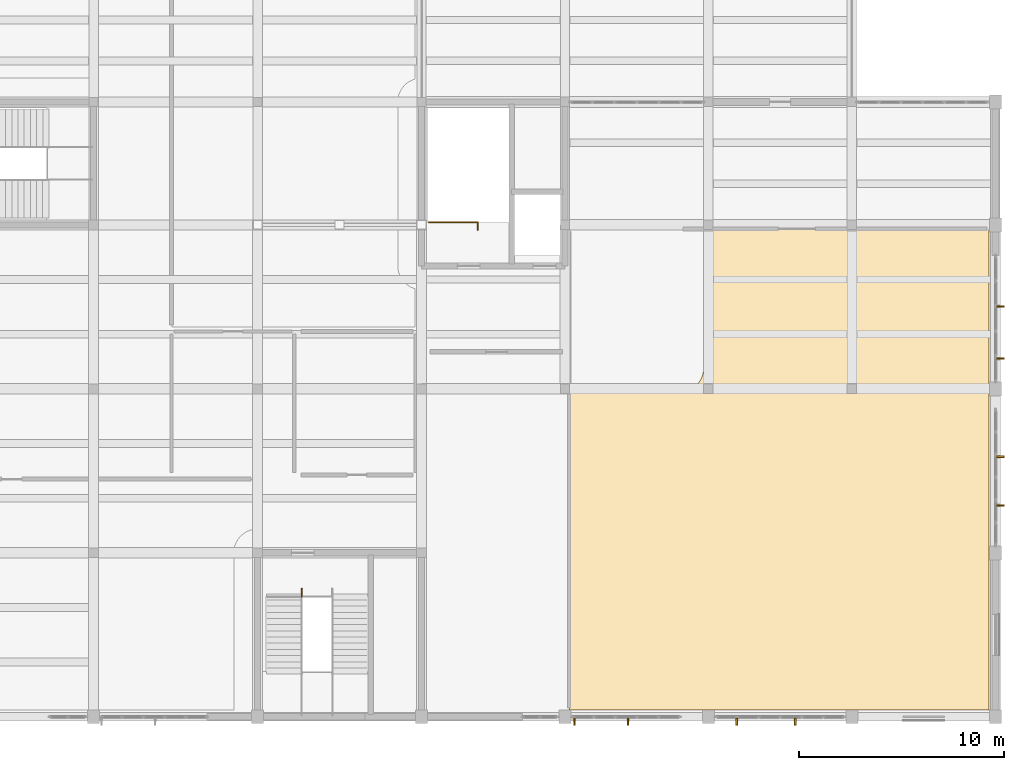
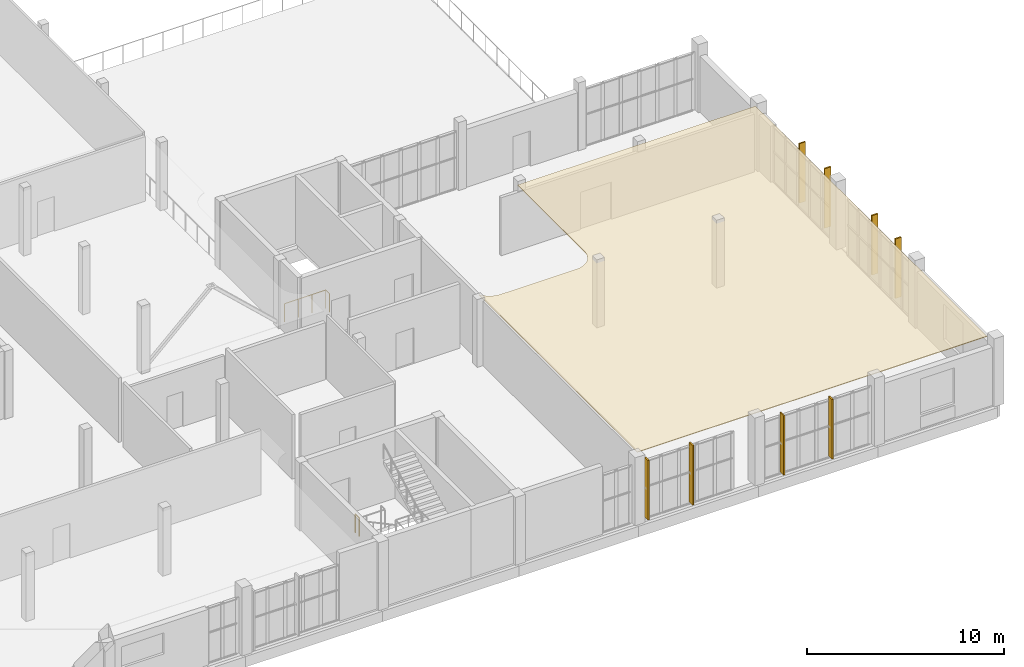
# One storey, part 69 of 70: 8 shading devices, 2 railings, 1 covering.
"""IFC4 building model written with IfcOpenShell, lengths in metres."""

from ifc_helpers import new_model, si_unit, direction, frame, origin, origin_2d, place, context, subcontext, project, spatial, polyline, rectangle, circle, outline, extrude, material, layer, layer_set, type_object, element, save


model = new_model("IFC4")

# Units and contexts
model_context = context("Model", 3, precision=1e-05, world=origin(), true_north=direction((0.0, 1.0)))
body_context = subcontext(model_context, "Body", "Model", "MODEL_VIEW")
ifc_project = project(units=[si_unit("LENGTHUNIT", "METRE"), si_unit("AREAUNIT", "SQUARE_METRE"), si_unit("VOLUMEUNIT", "CUBIC_METRE"), si_unit("PLANEANGLEUNIT", "RADIAN"), si_unit("MASSUNIT", "GRAM", prefix="KILO")], contexts=[model_context])

# Site, building, storey
site_placement = place(None, origin())
site = spatial("IfcSite", under=ifc_project, at=site_placement, CompositionType="ELEMENT")
building_placement = place(site_placement, origin())
building = spatial("IfcBuilding", under=site, at=building_placement, Name="Solvane Community Centre", CompositionType="ELEMENT")
storey_placement = place(building_placement, frame((0.0, 0.0, 9.60009765625)))
storey = spatial("IfcBuildingStorey", under=building, at=storey_placement, Name="L02", CompositionType="ELEMENT", Elevation=9.60009765625)

# Covering
ifc_material_1 = material(Name="Acoustic timber slat ceiling", Category="wood")
ifc_layer = layer(ifc_material_1, 0.0400390625)
ifc_layer_set = layer_set([ifc_layer], Name="Acoustic timber slat ceiling")
covering_type = type_object("IfcCoveringType", Name="Acoustic Timber Slat Suspended Ceiling", PredefinedType="CEILING", material=ifc_layer_set)
covering_placement = place(storey_placement, frame((0.0, 0.0, 3.954833984375)))
element("IfcCovering", 1, at=covering_placement, inside=storey, type_object=covering_type, Name="Acoustic Ceiling L02-13", PredefinedType="CEILING", context=body_context, shape_type="SweptSolid", body=[
    extrude(outline(polyline([(167.679931640625, 29.780029296875), (167.679931640625, 6.320068359375), (147.219970703125, 6.320068359375), (147.219970703125, 22.380859375), (147.263916015625, 22.3154296875), (147.273193359375, 22.302734375), (147.33544921875, 22.226806640625), (147.345947265625, 22.21533203125), (147.415283203125, 22.14599609375), (147.427001953125, 22.135498046875), (147.502685546875, 22.072998046875), (147.515380859375, 22.063720703125), (147.596923828125, 22.00927734375), (147.610595703125, 22.001220703125), (147.697021484375, 21.954833984375), (147.711181640625, 21.9482421875), (147.802001953125, 21.91064453125), (147.816650390625, 21.9052734375), (147.91064453125, 21.876953125), (147.92578125, 21.873046875), (148.022216796875, 21.85400390625), (148.03759765625, 21.8515625), (148.13525390625, 21.842041015625), (148.15087890625, 21.84130859375), (148.199951171875, 21.840087890625), (152.60009765625, 21.840087890625), (152.649169921875, 21.84130859375), (152.664794921875, 21.842041015625), (152.762451171875, 21.8515625), (152.77783203125, 21.85400390625), (152.874267578125, 21.873046875), (152.889404296875, 21.876953125), (152.9833984375, 21.9052734375), (152.998046875, 21.91064453125), (153.0888671875, 21.9482421875), (153.10302734375, 21.954833984375), (153.189453125, 22.001220703125), (153.202880859375, 22.00927734375), (153.28466796875, 22.063720703125), (153.297119140625, 22.072998046875), (153.373046875, 22.135498046875), (153.384765625, 22.14599609375), (153.4541015625, 22.21533203125), (153.464599609375, 22.226806640625), (153.52685546875, 22.302734375), (153.5361328125, 22.3154296875), (153.5908203125, 22.39697265625), (153.598876953125, 22.410400390625), (153.64501953125, 22.4970703125), (153.65185546875, 22.51123046875), (153.689453125, 22.601806640625), (153.694580078125, 22.61669921875), (153.72314453125, 22.710693359375), (153.72705078125, 22.725830078125), (153.74609375, 22.822021484375), (153.748291015625, 22.837646484375), (153.758056640625, 22.935302734375), (153.7587890625, 22.950927734375), (153.760009765625, 23.0), (153.760009765625, 29.780029296875), (167.679931640625, 29.780029296875)])), origin(), (0.0, 0.0, 1.0), 0.0400390625),
])

# Shading devices
ifc_material_2 = material(Name="Anodised bronze aluminium AW-6063 T6", Category="aluminium")
shading_device_type = type_object("IfcShadingDeviceType", Name="Art Deco Bronze Solar Fin 80x360", PredefinedType="USERDEFINED", material=ifc_material_2)
shading_device_1_placement = place(storey_placement, frame((158.233154296875, 5.760009765625, 0.14990234375), z_axis=(0.0, 0.0, 1.0), x_axis=(-1.0, 0.0, 0.0)))
element("IfcShadingDevice", 2, at=shading_device_1_placement, inside=storey, type_object=shading_device_type, Name="Solar Brise-Soleil Fin 69", ObjectType="Solar Brise-Soleil Fin 69", PredefinedType="USERDEFINED", context=body_context, shape_type="SweptSolid", body=[
    extrude(rectangle(XDim=0.080078125, YDim=0.360107421875, at=origin_2d()), origin(), (0.0, 0.0, 1.0), 3.679931640625),
])
shading_device_2_placement = place(storey_placement, frame((155.38232421875, 5.760009765625, 0.14990234375), z_axis=(0.0, 0.0, 1.0), x_axis=(-1.0, 0.0, 0.0)))
element("IfcShadingDevice", 3, at=shading_device_2_placement, inside=storey, type_object=shading_device_type, Name="Solar Brise-Soleil Fin 70", ObjectType="Solar Brise-Soleil Fin 70", PredefinedType="USERDEFINED", context=body_context, shape_type="SweptSolid", body=[
    extrude(rectangle(XDim=0.080078125, YDim=0.360107421875, at=origin_2d()), origin(), (0.0, 0.0, 1.0), 3.679931640625),
])
shading_device_3_placement = place(storey_placement, frame((150.076904296875, 5.760009765625, 0.14990234375), z_axis=(0.0, 0.0, 1.0), x_axis=(-1.0, 0.0, 0.0)))
element("IfcShadingDevice", 4, at=shading_device_3_placement, inside=storey, type_object=shading_device_type, Name="Solar Brise-Soleil Fin 71", ObjectType="Solar Brise-Soleil Fin 71", PredefinedType="USERDEFINED", context=body_context, shape_type="SweptSolid", body=[
    extrude(rectangle(XDim=0.080078125, YDim=0.360107421875, at=origin_2d()), origin(), (0.0, 0.0, 1.0), 3.679931640625),
])
shading_device_4_placement = place(storey_placement, frame((147.461669921875, 5.760009765625, 0.14990234375), z_axis=(0.0, 0.0, 1.0), x_axis=(-1.0, 0.0, 0.0)))
element("IfcShadingDevice", 5, at=shading_device_4_placement, inside=storey, type_object=shading_device_type, Name="Solar Brise-Soleil Fin 72", ObjectType="Solar Brise-Soleil Fin 72", PredefinedType="USERDEFINED", context=body_context, shape_type="SweptSolid", body=[
    extrude(rectangle(XDim=0.080078125, YDim=0.360107421875, at=origin_2d()), origin(), (0.0, 0.0, 1.0), 3.679931640625),
])
shading_device_5_placement = place(storey_placement, frame((168.239990234375, 26.02490234375, 0.14990234375), z_axis=(0.0, 0.0, 1.0), x_axis=(0.0, -1.0, 0.0)))
element("IfcShadingDevice", 6, at=shading_device_5_placement, inside=storey, type_object=shading_device_type, Name="Solar Brise-Soleil Fin 91", ObjectType="Solar Brise-Soleil Fin 91", PredefinedType="USERDEFINED", context=body_context, shape_type="SweptSolid", body=[
    extrude(rectangle(XDim=0.080078125, YDim=0.360107421875, at=origin_2d()), origin(), (0.0, 0.0, 1.0), 3.679931640625),
])
shading_device_6_placement = place(storey_placement, frame((168.239990234375, 23.47509765625, 0.14990234375), z_axis=(0.0, 0.0, 1.0), x_axis=(0.0, -1.0, 0.0)))
element("IfcShadingDevice", 7, at=shading_device_6_placement, inside=storey, type_object=shading_device_type, Name="Solar Brise-Soleil Fin 92", ObjectType="Solar Brise-Soleil Fin 92", PredefinedType="USERDEFINED", context=body_context, shape_type="SweptSolid", body=[
    extrude(rectangle(XDim=0.080078125, YDim=0.360107421875, at=origin_2d()), origin(), (0.0, 0.0, 1.0), 3.679931640625),
])
shading_device_7_placement = place(storey_placement, frame((168.239990234375, 18.68994140625, 0.14990234375), z_axis=(0.0, 0.0, 1.0), x_axis=(0.0, -1.0, 0.0)))
element("IfcShadingDevice", 8, at=shading_device_7_placement, inside=storey, type_object=shading_device_type, Name="Solar Brise-Soleil Fin 93", ObjectType="Solar Brise-Soleil Fin 93", PredefinedType="USERDEFINED", context=body_context, shape_type="SweptSolid", body=[
    extrude(rectangle(XDim=0.080078125, YDim=0.360107421875, at=origin_2d()), origin(), (0.0, 0.0, 1.0), 3.679931640625),
])
shading_device_8_placement = place(storey_placement, frame((168.239990234375, 16.31005859375, 0.14990234375), z_axis=(0.0, 0.0, 1.0), x_axis=(0.0, -1.0, 0.0)))
element("IfcShadingDevice", 9, at=shading_device_8_placement, inside=storey, type_object=shading_device_type, Name="Solar Brise-Soleil Fin 94", ObjectType="Solar Brise-Soleil Fin 94", PredefinedType="USERDEFINED", context=body_context, shape_type="SweptSolid", body=[
    extrude(rectangle(XDim=0.080078125, YDim=0.360107421875, at=origin_2d()), origin(), (0.0, 0.0, 1.0), 3.679931640625),
])

# Railings
railing_type = type_object("IfcRailingType", Name="Interior Gallery & Stair Well Guard 1150mm", PredefinedType="BALUSTRADE", material=ifc_material_2)
railing_1_placement = place(storey_placement, frame((134.14990234375, 12.25, 0.0)))
element("IfcRailing", 10, at=railing_1_placement, inside=storey, type_object=railing_type, Name="Railing GR-L02-051", PredefinedType="BALUSTRADE", context=body_context, shape_type="SweptSolid", body=[
    extrude(circle(Radius=0.02392578125, at=origin_2d()), frame((0.0, 0.0, 1.1259765625), z_axis=(0.0, -1.0, 0.0), x_axis=(1.0, 0.0, 0.0)), (0.0, 0.0, 1.0), 0.389892578125),
    extrude(circle(Radius=0.02099609375, at=origin_2d()), origin(), (0.0, 0.0, 1.0), 1.101806640625),
    extrude(circle(Radius=0.02099609375, at=origin_2d()), frame((0.0, -0.389892578125, 0.0)), (0.0, 0.0, 1.0), 1.101806640625),
])
railing_2_placement = place(storey_placement, frame((140.340087890625, 30.139892578125, 0.0)))
element("IfcRailing", 11, at=railing_2_placement, inside=storey, type_object=railing_type, Name="Railing GR-L02-094", PredefinedType="BALUSTRADE", context=body_context, shape_type="SweptSolid", body=[
    extrude(circle(Radius=0.02392578125, at=origin_2d()), frame((0.0, 0.0, 1.1259765625), z_axis=(1.0, 0.0, 0.0), x_axis=(0.0, 1.0, 0.0)), (0.0, 0.0, 1.0), 2.409912109375),
    extrude(circle(Radius=0.02392578125, at=origin_2d()), frame((2.409912109375, 0.0, 1.1259765625), z_axis=(0.0, -1.0, 0.0), x_axis=(1.0, 0.0, 0.0)), (0.0, 0.0, 1.0), 0.389892578125),
    extrude(circle(Radius=0.02099609375, at=origin_2d()), origin(), (0.0, 0.0, 1.0), 1.101806640625),
    extrude(circle(Radius=0.02099609375, at=origin_2d()), frame((0.80322265625, 0.0, 0.0)), (0.0, 0.0, 1.0), 1.101806640625),
    extrude(circle(Radius=0.02099609375, at=origin_2d()), frame((1.606689453125, 0.0, 0.0)), (0.0, 0.0, 1.0), 1.101806640625),
    extrude(circle(Radius=0.02099609375, at=origin_2d()), frame((2.409912109375, 0.0, 0.0)), (0.0, 0.0, 1.0), 1.101806640625),
    extrude(circle(Radius=0.02099609375, at=origin_2d()), frame((2.409912109375, -0.389892578125, 0.0)), (0.0, 0.0, 1.0), 1.101806640625),
])

save(model, "model.ifc")
